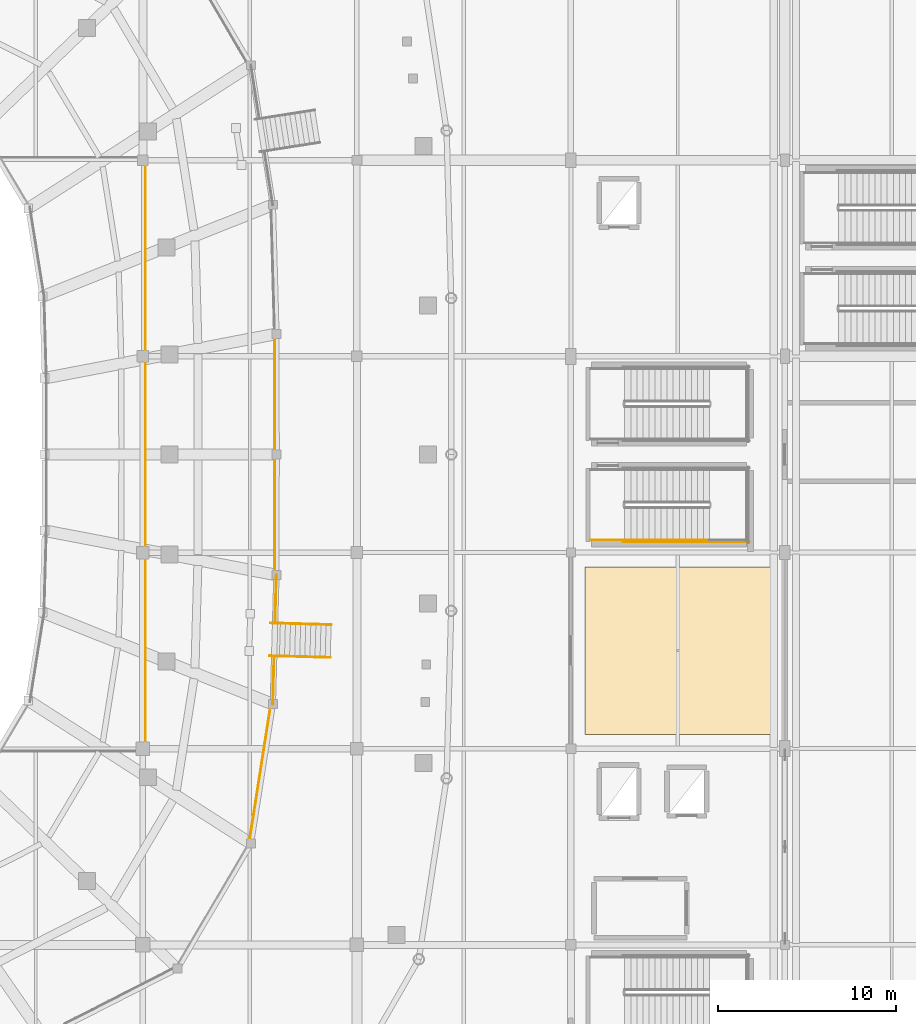
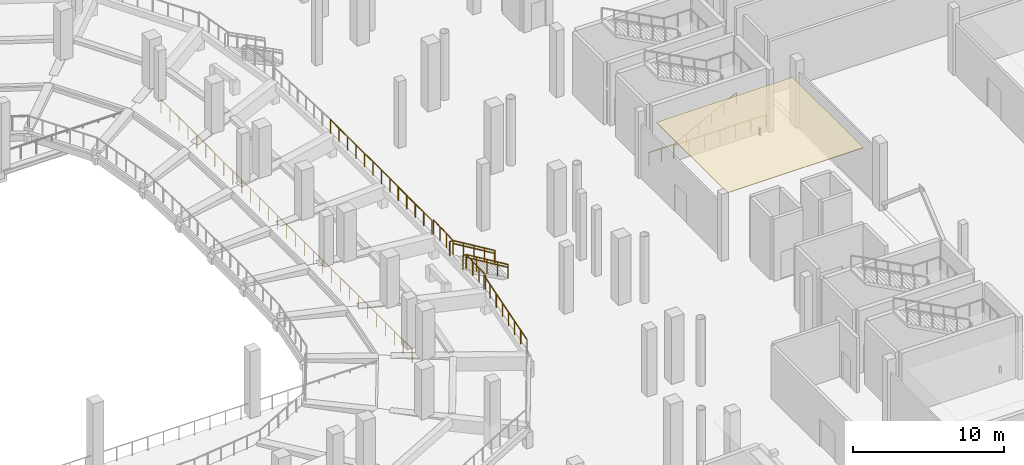
# One storey, part 112 of 120: 13 railings, 1 covering.
"""IFC4 building model written with IfcOpenShell, lengths in metres."""

from ifc_helpers import new_model, si_unit, direction, frame, origin, origin_2d, place, context, subcontext, project, spatial, polyline, circle, outline, extrude, material, layer, layer_set, type_object, element, save


model = new_model("IFC4")

# Units and contexts
model_context = context("Model", 3, precision=1e-05, world=origin(), true_north=direction((0.0, 1.0)))
body_context = subcontext(model_context, "Body", "Model", "MODEL_VIEW")
ifc_project = project(units=[si_unit("LENGTHUNIT", "METRE"), si_unit("AREAUNIT", "SQUARE_METRE"), si_unit("VOLUMEUNIT", "CUBIC_METRE"), si_unit("PLANEANGLEUNIT", "RADIAN"), si_unit("MASSUNIT", "GRAM", prefix="KILO")], contexts=[model_context])

# Site, building, storey
site_placement = place(None, origin())
site = spatial("IfcSite", under=ifc_project, at=site_placement, CompositionType="ELEMENT")
building_placement = place(site_placement, origin())
building = spatial("IfcBuilding", under=site, at=building_placement, Name="Luwafu Chhajja Arena", CompositionType="ELEMENT")
storey_placement = place(building_placement, origin())
storey = spatial("IfcBuildingStorey", under=building, at=storey_placement, Name="L00", CompositionType="ELEMENT", Elevation=0.0)

# Railings
ifc_material_1 = material(Name="Stainless steel balustrade", Category="steel")
railing_type_1 = type_object("IfcRailingType", Name="Atrium Void Glazed Balustrade 1150", PredefinedType="BALUSTRADE", material=ifc_material_1)
railing_1_placement = place(storey_placement, frame((138.558837890625, 39.95068359375, 0.0)))
element("IfcRailing", 1, at=railing_1_placement, inside=storey, type_object=railing_type_1, Name="L00 Vomitory VM-08 Guard L", PredefinedType="BALUSTRADE", context=body_context, shape_type="SweptSolid", body=[
    extrude(circle(Radius=0.02392578125, at=origin_2d()), frame((0.0, 0.0, 1.1259765625), z_axis=(-0.86159056591, 0.023953515772, 0.507038386927), x_axis=(-0.027790768564, -0.999613762001, 0.0)), (0.0, 0.0, 1.0), 3.64892578125),
    extrude(circle(Radius=0.02392578125, at=origin_2d()), frame((-3.143798828125, 0.08740234375, 2.97607421875), z_axis=(-0.999598437567, 0.0283366126, 0.0), x_axis=(-0.0283366126, -0.999598437567, 0.0)), (0.0, 0.0, 1.0), 0.249755859375),
    extrude(circle(Radius=0.02099609375, at=origin_2d()), origin(), (0.0, 0.0, 1.0), 1.101806640625),
    extrude(circle(Radius=0.02099609375, at=origin_2d()), frame((-0.785888671875, 0.02197265625, 0.46240234375)), (0.0, 0.0, 1.0), 1.101806640625),
    extrude(circle(Radius=0.02099609375, at=origin_2d()), frame((-1.57177734375, 0.043701171875, 0.925048828125)), (0.0, 0.0, 1.0), 1.101806640625),
    extrude(circle(Radius=0.02099609375, at=origin_2d()), frame((-2.35791015625, 0.0654296875, 1.3876953125)), (0.0, 0.0, 1.0), 1.101806640625),
    extrude(circle(Radius=0.02099609375, at=origin_2d()), frame((-3.143798828125, 0.08740234375, 1.85009765625)), (0.0, 0.0, 1.0), 1.101806640625),
    extrude(circle(Radius=0.02099609375, at=origin_2d()), frame((-3.3935546875, 0.094482421875, 1.85009765625)), (0.0, 0.0, 1.0), 1.101806640625),
])
railing_2_placement = place(storey_placement, frame((138.5078125, 38.111328125, 0.0)))
element("IfcRailing", 2, at=railing_2_placement, inside=storey, type_object=railing_type_1, Name="L00 Vomitory VM-08 Guard R", PredefinedType="BALUSTRADE", context=body_context, shape_type="SweptSolid", body=[
    extrude(circle(Radius=0.02392578125, at=origin_2d()), frame((0.0, 0.0, 1.1259765625), z_axis=(-0.861589183103, 0.024020386482, 0.507037573158), x_axis=(-0.027868336204, -0.999611602492, 0.0)), (0.0, 0.0, 1.0), 3.64892578125),
    extrude(circle(Radius=0.02392578125, at=origin_2d()), frame((-3.143798828125, 0.087646484375, 2.97607421875), z_axis=(-0.999626369172, 0.027333533532, 0.0), x_axis=(-0.027333533532, -0.999626369172, 0.0)), (0.0, 0.0, 1.0), 0.25),
    extrude(circle(Radius=0.02099609375, at=origin_2d()), origin(), (0.0, 0.0, 1.0), 1.101806640625),
    extrude(circle(Radius=0.02099609375, at=origin_2d()), frame((-0.785888671875, 0.02197265625, 0.46240234375)), (0.0, 0.0, 1.0), 1.101806640625),
    extrude(circle(Radius=0.02099609375, at=origin_2d()), frame((-1.57177734375, 0.0439453125, 0.925048828125)), (0.0, 0.0, 1.0), 1.101806640625),
    extrude(circle(Radius=0.02099609375, at=origin_2d()), frame((-2.35791015625, 0.065673828125, 1.3876953125)), (0.0, 0.0, 1.0), 1.101806640625),
    extrude(circle(Radius=0.02099609375, at=origin_2d()), frame((-3.143798828125, 0.087646484375, 1.85009765625)), (0.0, 0.0, 1.0), 1.101806640625),
    extrude(circle(Radius=0.02099609375, at=origin_2d()), frame((-3.393798828125, 0.094482421875, 1.85009765625)), (0.0, 0.0, 1.0), 1.101806640625),
])
for number, where, name in (
    (3, (135.490234375, 42.73876953125, 1.85009765625), "L00 Vomitory VM-08 Wing Guard L"),
    (4, (135.364013671875, 38.198974609375, 1.85009765625), "L00 Vomitory VM-08 Wing Guard R"),
):
    element("IfcRailing", number, at=place(storey_placement, frame(where)), inside=storey, type_object=railing_type_1, Name=name, PredefinedType="BALUSTRADE", context=body_context, shape_type="SweptSolid", body=[
        extrude(circle(Radius=0.02392578125, at=origin_2d()), frame((0.0, 0.0, 1.1259765625), z_axis=(-0.027832280146, -0.999612607054, 0.0), x_axis=(0.999612607054, -0.027832280146, 0.0)), (0.0, 0.0, 1.0), 2.70166015625),
        extrude(circle(Radius=0.02099609375, at=origin_2d()), origin(), (0.0, 0.0, 1.0), 1.101806640625),
        extrude(circle(Radius=0.02099609375, at=origin_2d()), frame((-0.025146484375, -0.900146484375, 0.0)), (0.0, 0.0, 1.0), 1.101806640625),
        extrude(circle(Radius=0.02099609375, at=origin_2d()), frame((-0.050048828125, -1.800537109375, 0.0)), (0.0, 0.0, 1.0), 1.101806640625),
        extrude(circle(Radius=0.02099609375, at=origin_2d()), frame((-0.0751953125, -2.70068359375, 0.0)), (0.0, 0.0, 1.0), 1.101806640625),
    ])

# Covering
ifc_material_2 = material(Name="Acoustic gypsum ceiling board")
ifc_layer = layer(ifc_material_2, 0.0400390625, Name="Acoustic gypsum ceiling board")
ifc_layer_set = layer_set([ifc_layer], Name="Acoustic gypsum ceiling board")
covering_type = type_object("IfcCoveringType", Name="Perforated Acoustic Baffle Ceiling", PredefinedType="CEILING", material=ifc_layer_set)
covering_placement = place(storey_placement, frame((0.0, 0.0, 4.5029296875)))
element("IfcCovering", 5, at=covering_placement, inside=storey, type_object=covering_type, Name="L00 Acoustic Baffle Ceiling 014", PredefinedType="CEILING", context=body_context, shape_type="SweptSolid", body=[
    extrude(outline(polyline([(152.800048828125, 33.800048828125), (163.199951171875, 33.800048828125), (163.199951171875, 43.199951171875), (152.800048828125, 43.199951171875), (152.800048828125, 33.800048828125)])), origin(), (0.0, 0.0, 1.0), 0.0400390625),
])

# Railings
railing_type_2 = type_object("IfcRailingType", Name="Seating Bowl Sightline Barrier 1100", PredefinedType="BALUSTRADE", material=ifc_material_1)
railing_3_placement = place(storey_placement, frame((128.14990234375, 32.85009765625, 0.0)))
element("IfcRailing", 6, at=railing_3_placement, inside=storey, type_object=railing_type_2, Name="L00 L00 Bowl Apron Guard 0014", PredefinedType="BALUSTRADE", context=body_context, shape_type="SweptSolid", body=[
    extrude(circle(Radius=0.02392578125, at=origin_2d()), frame((0.0, 0.0, 1.09619140625), z_axis=(0.0, 1.0, 0.0), x_axis=(-1.0, 0.0, 0.0)), (0.0, 0.0, 1.0), 33.2998046875),
    extrude(circle(Radius=0.02099609375, at=origin_2d()), origin(), (0.0, 0.0, 1.0), 1.072021484375),
    extrude(circle(Radius=0.02099609375, at=origin_2d()), frame((0.0, 1.189208984375, 0.0)), (0.0, 0.0, 1.0), 1.072021484375),
    extrude(circle(Radius=0.02099609375, at=origin_2d()), frame((0.0, 2.378662109375, 0.0)), (0.0, 0.0, 1.0), 1.072021484375),
    extrude(circle(Radius=0.02099609375, at=origin_2d()), frame((0.0, 3.56787109375, 0.0)), (0.0, 0.0, 1.0), 1.072021484375),
    extrude(circle(Radius=0.02099609375, at=origin_2d()), frame((0.0, 4.757080078125, 0.0)), (0.0, 0.0, 1.0), 1.072021484375),
    extrude(circle(Radius=0.02099609375, at=origin_2d()), frame((0.0, 5.9462890625, 0.0)), (0.0, 0.0, 1.0), 1.072021484375),
    extrude(circle(Radius=0.02099609375, at=origin_2d()), frame((0.0, 7.1357421875, 0.0)), (0.0, 0.0, 1.0), 1.072021484375),
    extrude(circle(Radius=0.02099609375, at=origin_2d()), frame((0.0, 8.324951171875, 0.0)), (0.0, 0.0, 1.0), 1.072021484375),
    extrude(circle(Radius=0.02099609375, at=origin_2d()), frame((0.0, 9.51416015625, 0.0)), (0.0, 0.0, 1.0), 1.072021484375),
    extrude(circle(Radius=0.02099609375, at=origin_2d()), frame((0.0, 10.70361328125, 0.0)), (0.0, 0.0, 1.0), 1.072021484375),
    extrude(circle(Radius=0.02099609375, at=origin_2d()), frame((0.0, 11.892822265625, 0.0)), (0.0, 0.0, 1.0), 1.072021484375),
    extrude(circle(Radius=0.02099609375, at=origin_2d()), frame((0.0, 13.08203125, 0.0)), (0.0, 0.0, 1.0), 1.072021484375),
    extrude(circle(Radius=0.02099609375, at=origin_2d()), frame((0.0, 14.271240234375, 0.0)), (0.0, 0.0, 1.0), 1.072021484375),
    extrude(circle(Radius=0.02099609375, at=origin_2d()), frame((0.0, 15.460693359375, 0.0)), (0.0, 0.0, 1.0), 1.072021484375),
    extrude(circle(Radius=0.02099609375, at=origin_2d()), frame((0.0, 16.64990234375, 0.0)), (0.0, 0.0, 1.0), 1.072021484375),
    extrude(circle(Radius=0.02099609375, at=origin_2d()), frame((0.0, 17.839111328125, 0.0)), (0.0, 0.0, 1.0), 1.072021484375),
    extrude(circle(Radius=0.02099609375, at=origin_2d()), frame((0.0, 19.028564453125, 0.0)), (0.0, 0.0, 1.0), 1.072021484375),
    extrude(circle(Radius=0.02099609375, at=origin_2d()), frame((0.0, 20.2177734375, 0.0)), (0.0, 0.0, 1.0), 1.072021484375),
    extrude(circle(Radius=0.02099609375, at=origin_2d()), frame((0.0, 21.406982421875, 0.0)), (0.0, 0.0, 1.0), 1.072021484375),
    extrude(circle(Radius=0.02099609375, at=origin_2d()), frame((0.0, 22.59619140625, 0.0)), (0.0, 0.0, 1.0), 1.072021484375),
    extrude(circle(Radius=0.02099609375, at=origin_2d()), frame((0.0, 23.78564453125, 0.0)), (0.0, 0.0, 1.0), 1.072021484375),
    extrude(circle(Radius=0.02099609375, at=origin_2d()), frame((0.0, 24.974853515625, 0.0)), (0.0, 0.0, 1.0), 1.072021484375),
    extrude(circle(Radius=0.02099609375, at=origin_2d()), frame((0.0, 26.1640625, 0.0)), (0.0, 0.0, 1.0), 1.072021484375),
    extrude(circle(Radius=0.02099609375, at=origin_2d()), frame((0.0, 27.353515625, 0.0)), (0.0, 0.0, 1.0), 1.072021484375),
    extrude(circle(Radius=0.02099609375, at=origin_2d()), frame((0.0, 28.542724609375, 0.0)), (0.0, 0.0, 1.0), 1.072021484375),
    extrude(circle(Radius=0.02099609375, at=origin_2d()), frame((0.0, 29.73193359375, 0.0)), (0.0, 0.0, 1.0), 1.072021484375),
    extrude(circle(Radius=0.02099609375, at=origin_2d()), frame((0.0, 30.921142578125, 0.0)), (0.0, 0.0, 1.0), 1.072021484375),
    extrude(circle(Radius=0.02099609375, at=origin_2d()), frame((0.0, 32.110595703125, 0.0)), (0.0, 0.0, 1.0), 1.072021484375),
    extrude(circle(Radius=0.02099609375, at=origin_2d()), frame((0.0, 33.2998046875, 0.0)), (0.0, 0.0, 1.0), 1.072021484375),
])
railing_4_placement = place(storey_placement, frame((135.39990234375, 49.5, 1.85009765625)))
element("IfcRailing", 7, at=railing_4_placement, inside=storey, type_object=railing_type_2, Name="L00 Lower Tier Rear Barrier 0050", PredefinedType="BALUSTRADE", context=body_context, shape_type="SweptSolid", body=[
    extrude(circle(Radius=0.02392578125, at=origin_2d()), frame((0.0, 0.0, 1.09619140625), z_axis=(-0.001448643996, 0.999998950715, 0.0), x_axis=(-0.999998950715, -0.001448643996, 0.0)), (0.0, 0.0, 1.0), 6.7412109375),
    extrude(circle(Radius=0.02099609375, at=origin_2d()), origin(), (0.0, 0.0, 1.0), 1.072021484375),
    extrude(circle(Radius=0.02099609375, at=origin_2d()), frame((-0.001708984375, 1.12353515625, 0.0)), (0.0, 0.0, 1.0), 1.072021484375),
    extrude(circle(Radius=0.02099609375, at=origin_2d()), frame((-0.003173828125, 2.2470703125, 0.0)), (0.0, 0.0, 1.0), 1.072021484375),
    extrude(circle(Radius=0.02099609375, at=origin_2d()), frame((-0.0048828125, 3.37060546875, 0.0)), (0.0, 0.0, 1.0), 1.072021484375),
    extrude(circle(Radius=0.02099609375, at=origin_2d()), frame((-0.006591796875, 4.494140625, 0.0)), (0.0, 0.0, 1.0), 1.072021484375),
    extrude(circle(Radius=0.02099609375, at=origin_2d()), frame((-0.008056640625, 5.61767578125, 0.0)), (0.0, 0.0, 1.0), 1.072021484375),
    extrude(circle(Radius=0.02099609375, at=origin_2d()), frame((-0.009765625, 6.7412109375, 0.0)), (0.0, 0.0, 1.0), 1.072021484375),
])
railing_5_placement = place(storey_placement, frame((133.966064453125, 27.7412109375, 1.85009765625)))
element("IfcRailing", 8, at=railing_5_placement, inside=storey, type_object=railing_type_2, Name="L00 Lower Tier Rear Barrier 0152", PredefinedType="BALUSTRADE", context=body_context, shape_type="SweptSolid", body=[
    extrude(circle(Radius=0.02392578125, at=origin_2d()), frame((0.0, 0.0, 1.09619140625), z_axis=(0.154957114675, 0.987921197572, 0.0), x_axis=(-0.987921197572, 0.154957114675, 0.0)), (0.0, 0.0, 1.0), 7.8935546875),
    extrude(circle(Radius=0.02099609375, at=origin_2d()), origin(), (0.0, 0.0, 1.0), 1.072021484375),
    extrude(circle(Radius=0.02099609375, at=origin_2d()), frame((0.1748046875, 1.114013671875, 0.0)), (0.0, 0.0, 1.0), 1.072021484375),
    extrude(circle(Radius=0.02099609375, at=origin_2d()), frame((0.349365234375, 2.22802734375, 0.0)), (0.0, 0.0, 1.0), 1.072021484375),
    extrude(circle(Radius=0.02099609375, at=origin_2d()), frame((0.524169921875, 3.342041015625, 0.0)), (0.0, 0.0, 1.0), 1.072021484375),
    extrude(circle(Radius=0.02099609375, at=origin_2d()), frame((0.698974609375, 4.4560546875, 0.0)), (0.0, 0.0, 1.0), 1.072021484375),
    extrude(circle(Radius=0.02099609375, at=origin_2d()), frame((0.873779296875, 5.570068359375, 0.0)), (0.0, 0.0, 1.0), 1.072021484375),
    extrude(circle(Radius=0.02099609375, at=origin_2d()), frame((1.04833984375, 6.68408203125, 0.0)), (0.0, 0.0, 1.0), 1.072021484375),
    extrude(circle(Radius=0.02099609375, at=origin_2d()), frame((1.22314453125, 7.798095703125, 0.0)), (0.0, 0.0, 1.0), 1.072021484375),
])
railing_6_placement = place(storey_placement, frame((135.39013671875, 42.7587890625, 1.85009765625)))
element("IfcRailing", 9, at=railing_6_placement, inside=storey, type_object=railing_type_2, Name="L00 Lower Tier Rear Barrier 0158", PredefinedType="BALUSTRADE", context=body_context, shape_type="SweptSolid", body=[
    extrude(circle(Radius=0.02392578125, at=origin_2d()), frame((0.0, 0.0, 1.09619140625), z_axis=(0.001448643996, 0.999998950715, 0.0), x_axis=(-0.999998950715, 0.001448643996, 0.0)), (0.0, 0.0, 1.0), 6.7412109375),
    extrude(circle(Radius=0.02099609375, at=origin_2d()), origin(), (0.0, 0.0, 1.0), 1.072021484375),
    extrude(circle(Radius=0.02099609375, at=origin_2d()), frame((0.001708984375, 1.12353515625, 0.0)), (0.0, 0.0, 1.0), 1.072021484375),
    extrude(circle(Radius=0.02099609375, at=origin_2d()), frame((0.003173828125, 2.2470703125, 0.0)), (0.0, 0.0, 1.0), 1.072021484375),
    extrude(circle(Radius=0.02099609375, at=origin_2d()), frame((0.0048828125, 3.37060546875, 0.0)), (0.0, 0.0, 1.0), 1.072021484375),
    extrude(circle(Radius=0.02099609375, at=origin_2d()), frame((0.006591796875, 4.494140625, 0.0)), (0.0, 0.0, 1.0), 1.072021484375),
    extrude(circle(Radius=0.02099609375, at=origin_2d()), frame((0.008056640625, 5.61767578125, 0.0)), (0.0, 0.0, 1.0), 1.072021484375),
    extrude(circle(Radius=0.02099609375, at=origin_2d()), frame((0.009765625, 6.7412109375, 0.0)), (0.0, 0.0, 1.0), 1.072021484375),
])
ifc_material_3 = material(Name="Stainless steel handrail", Category="steel")
railing_type_3 = type_object("IfcRailingType", Name="Stair Pitch Wall Handrail 920", PredefinedType="HANDRAIL", material=ifc_material_3)
railing_7_placement = place(storey_placement, frame((155.02001953125, 44.699951171875, 0.179931640625)))
element("IfcRailing", 10, at=railing_7_placement, inside=storey, type_object=railing_type_3, Name="L00 ST-11 stair handrail 1", PredefinedType="HANDRAIL", context=body_context, shape_type="SweptSolid", body=[
    extrude(circle(Radius=0.02392578125, at=origin_2d()), frame((0.0, 0.0, 0.8759765625), z_axis=(0.883786813738, 0.0, 0.467889803119), x_axis=(0.0, 1.0, 0.0)), (0.0, 0.0, 1.0), 5.385986328125),
    extrude(circle(Radius=0.02099609375, at=origin_2d()), origin(), (0.0, 0.0, 1.0), 0.851806640625),
    extrude(circle(Radius=0.02099609375, at=origin_2d()), frame((0.951904296875, 0.0, 0.50390625)), (0.0, 0.0, 1.0), 0.851806640625),
    extrude(circle(Radius=0.02099609375, at=origin_2d()), frame((1.904052734375, 0.0, 1.008056640625)), (0.0, 0.0, 1.0), 0.851806640625),
    extrude(circle(Radius=0.02099609375, at=origin_2d()), frame((2.85595703125, 0.0, 1.511962890625)), (0.0, 0.0, 1.0), 0.851806640625),
    extrude(circle(Radius=0.02099609375, at=origin_2d()), frame((3.80810546875, 0.0, 2.01611328125)), (0.0, 0.0, 1.0), 0.851806640625),
    extrude(circle(Radius=0.02099609375, at=origin_2d()), frame((4.760009765625, 0.0, 2.52001953125)), (0.0, 0.0, 1.0), 0.851806640625),
])
railing_8_placement = place(storey_placement, frame((138.558837890625, 39.95068359375, 0.0)))
element("IfcRailing", 11, at=railing_8_placement, inside=storey, type_object=railing_type_3, Name="L00 Vomitory VM-08 Handrail L", PredefinedType="HANDRAIL", context=body_context, shape_type="SweptSolid", body=[
    extrude(circle(Radius=0.02392578125, at=origin_2d()), frame((0.0, 0.0, 0.89599609375), z_axis=(-0.86159056591, 0.023953515772, 0.507038386927), x_axis=(-0.027790768564, -0.999613762001, 0.0)), (0.0, 0.0, 1.0), 3.64892578125),
    extrude(circle(Radius=0.02099609375, at=origin_2d()), origin(), (0.0, 0.0, 1.0), 0.871826171875),
    extrude(circle(Radius=0.02099609375, at=origin_2d()), frame((-0.785888671875, 0.02197265625, 0.46240234375)), (0.0, 0.0, 1.0), 0.871826171875),
    extrude(circle(Radius=0.02099609375, at=origin_2d()), frame((-1.57177734375, 0.043701171875, 0.925048828125)), (0.0, 0.0, 1.0), 0.871826171875),
    extrude(circle(Radius=0.02099609375, at=origin_2d()), frame((-2.35791015625, 0.0654296875, 1.3876953125)), (0.0, 0.0, 1.0), 0.871826171875),
    extrude(circle(Radius=0.02099609375, at=origin_2d()), frame((-3.143798828125, 0.08740234375, 1.85009765625)), (0.0, 0.0, 1.0), 0.871826171875),
])
railing_9_placement = place(storey_placement, frame((138.5078125, 38.111328125, 0.0)))
element("IfcRailing", 12, at=railing_9_placement, inside=storey, type_object=railing_type_3, Name="L00 Vomitory VM-08 Handrail R", PredefinedType="HANDRAIL", context=body_context, shape_type="SweptSolid", body=[
    extrude(circle(Radius=0.02392578125, at=origin_2d()), frame((0.0, 0.0, 0.89599609375), z_axis=(-0.861589183103, 0.024020386482, 0.507037573158), x_axis=(-0.027868336204, -0.999611602492, 0.0)), (0.0, 0.0, 1.0), 3.64892578125),
    extrude(circle(Radius=0.02099609375, at=origin_2d()), origin(), (0.0, 0.0, 1.0), 0.871826171875),
    extrude(circle(Radius=0.02099609375, at=origin_2d()), frame((-0.785888671875, 0.02197265625, 0.46240234375)), (0.0, 0.0, 1.0), 0.871826171875),
    extrude(circle(Radius=0.02099609375, at=origin_2d()), frame((-1.57177734375, 0.0439453125, 0.925048828125)), (0.0, 0.0, 1.0), 0.871826171875),
    extrude(circle(Radius=0.02099609375, at=origin_2d()), frame((-2.35791015625, 0.065673828125, 1.3876953125)), (0.0, 0.0, 1.0), 0.871826171875),
    extrude(circle(Radius=0.02099609375, at=origin_2d()), frame((-3.143798828125, 0.087646484375, 1.85009765625)), (0.0, 0.0, 1.0), 0.871826171875),
])
railing_type_4 = type_object("IfcRailingType", Name="Stair and Terrace Guard Balustrade 1100", PredefinedType="BALUSTRADE", material=ifc_material_1)
railing_10_placement = place(storey_placement, frame((153.10009765625, 44.699951171875, 0.0)))
element("IfcRailing", 13, at=railing_10_placement, inside=storey, type_object=railing_type_4, Name="L00 ST-11 stair guard 8", PredefinedType="BALUSTRADE", context=body_context, shape_type="SweptSolid", body=[
    extrude(circle(Radius=0.02392578125, at=origin_2d()), frame((0.0, 0.0, 1.076171875), z_axis=(1.0, 0.0, 0.0), x_axis=(0.0, 1.0, 0.0)), (0.0, 0.0, 1.0), 1.919921875),
    extrude(circle(Radius=0.02099609375, at=origin_2d()), origin(), (0.0, 0.0, 1.0), 1.052001953125),
    extrude(circle(Radius=0.02099609375, at=origin_2d()), frame((0.9599609375, 0.0, 0.0)), (0.0, 0.0, 1.0), 1.052001953125),
    extrude(circle(Radius=0.02099609375, at=origin_2d()), frame((1.919921875, 0.0, 0.0)), (0.0, 0.0, 1.0), 1.052001953125),
])
railing_11_placement = place(storey_placement, frame((154.919921875, 44.60009765625, 0.0)))
element("IfcRailing", 14, at=railing_11_placement, inside=storey, type_object=railing_type_4, Name="L00 ST-11 stair guard 10", PredefinedType="BALUSTRADE", context=body_context, shape_type="SweptSolid", body=[
    extrude(circle(Radius=0.02392578125, at=origin_2d()), frame((0.0, 0.0, 1.076171875), z_axis=(1.0, 0.0, 0.0), x_axis=(0.0, 1.0, 0.0)), (0.0, 0.0, 1.0), 7.080078125),
    extrude(circle(Radius=0.02099609375, at=origin_2d()), origin(), (0.0, 0.0, 1.0), 1.052001953125),
    extrude(circle(Radius=0.02099609375, at=origin_2d()), frame((1.179931640625, 0.0, 0.0)), (0.0, 0.0, 1.0), 1.052001953125),
    extrude(circle(Radius=0.02099609375, at=origin_2d()), frame((2.360107421875, 0.0, 0.0)), (0.0, 0.0, 1.0), 1.052001953125),
    extrude(circle(Radius=0.02099609375, at=origin_2d()), frame((3.5400390625, 0.0, 0.0)), (0.0, 0.0, 1.0), 1.052001953125),
    extrude(circle(Radius=0.02099609375, at=origin_2d()), frame((4.719970703125, 0.0, 0.0)), (0.0, 0.0, 1.0), 1.052001953125),
    extrude(circle(Radius=0.02099609375, at=origin_2d()), frame((5.900146484375, 0.0, 0.0)), (0.0, 0.0, 1.0), 1.052001953125),
    extrude(circle(Radius=0.02099609375, at=origin_2d()), frame((7.080078125, 0.0, 0.0)), (0.0, 0.0, 1.0), 1.052001953125),
])

save(model, "model.ifc")
